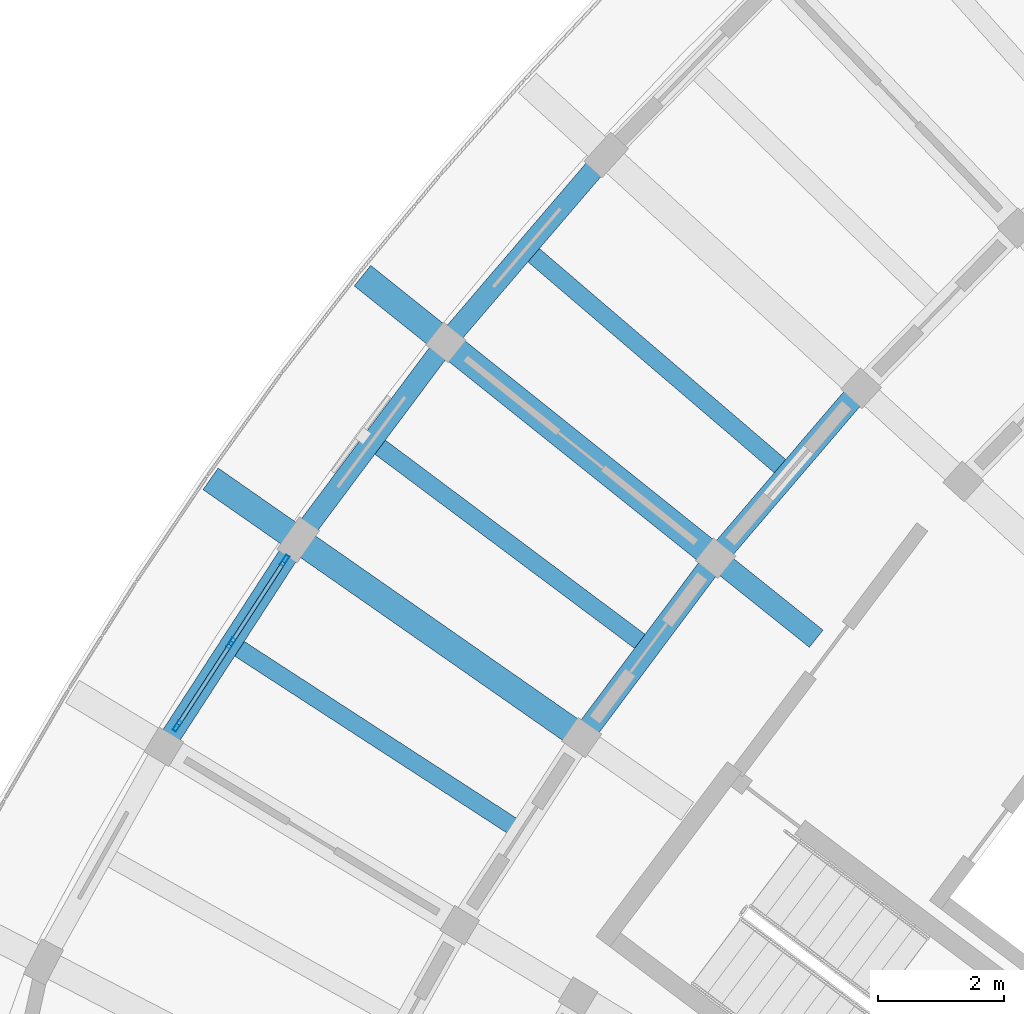
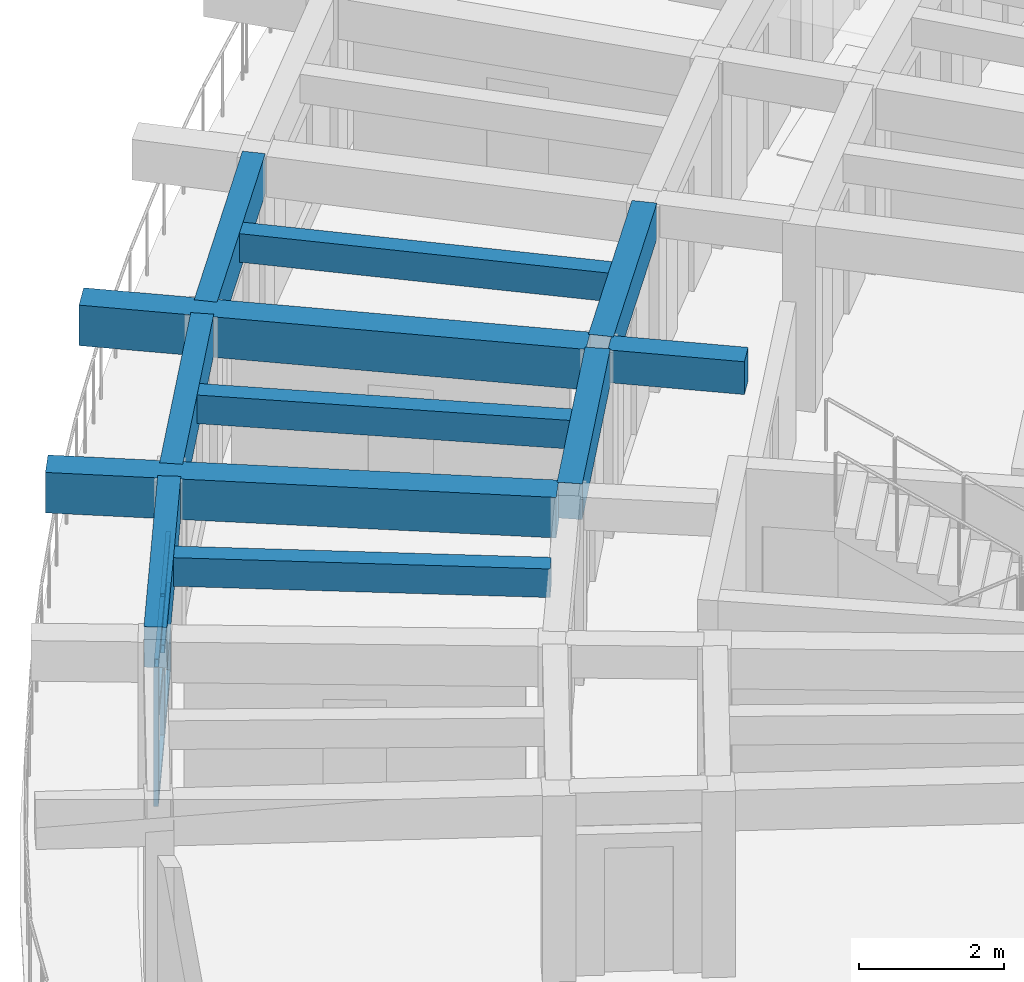
# One storey, part 2 of 19: 11 beams, 9 members, 1 element without a shape of its own.
"""IFC4 building model written with IfcOpenShell, lengths in metres."""

from ifc_helpers import new_model, si_unit, direction, frame, origin, origin_2d, place, context, subcontext, project, spatial, rectangle, hollow_rectangle, extrude, material, material_profile, profile_set, type_object, element, aggregate, save


model = new_model("IFC4")

# Units and contexts
model_context = context("Model", 3, precision=1e-05, world=origin(), true_north=direction((0.0, 1.0)))
body_context = subcontext(model_context, "Body", "Model", "MODEL_VIEW")
ifc_project = project(units=[si_unit("LENGTHUNIT", "METRE"), si_unit("AREAUNIT", "SQUARE_METRE"), si_unit("VOLUMEUNIT", "CUBIC_METRE"), si_unit("PLANEANGLEUNIT", "RADIAN"), si_unit("MASSUNIT", "GRAM", prefix="KILO")], contexts=[model_context])

# Site, building, storey
site_placement = place(None, origin())
site = spatial("IfcSite", under=ifc_project, at=site_placement, CompositionType="ELEMENT")
building_placement = place(site_placement, origin())
building = spatial("IfcBuilding", under=site, at=building_placement, Name="Tanwirah Colonnade Gardens", CompositionType="ELEMENT")
storey_placement = place(building_placement, frame((0.0, 0.0, 45.800048828125)))
storey = spatial("IfcBuildingStorey", under=building, at=storey_placement, Name="L13", CompositionType="ELEMENT", Elevation=45.800048828125)

# Beams
ifc_material_1 = material(Name="Precast concrete C40/50", Category="concrete")
ifc_material_profile_1 = material_profile(ifc_material_1, rectangle(XDim=0.35009765625, YDim=0.550048828125, at=origin_2d()), Name="PC-BM 350x550")
ifc_profile_set_1 = profile_set([ifc_material_profile_1], Name="Precast concrete C40/50")
beam_type_1 = type_object("IfcBeamType", Name="BM-PC350A", PredefinedType="BEAM", material=ifc_profile_set_1)
beam_1_placement = place(storey_placement, frame((24.398681640625, 92.68896484375, 2.844970703125), z_axis=(-0.78073089418, 0.624867402633, 0.0), x_axis=(-0.624867402633, -0.78073089418, 0.0)))
element("IfcBeam", 1, at=beam_1_placement, inside=storey, type_object=beam_type_1, Name="Block A L13 Corridor Tie Beam 12", PredefinedType="BEAM", context=body_context, shape_type="SweptSolid", body=[
    extrude(rectangle(XDim=0.35009765625, YDim=0.550048828125, at=origin_2d()), origin(), (0.0, 0.0, 1.0), 1.89990234375),
])
ifc_material_profile_2 = material_profile(ifc_material_1, rectangle(XDim=0.35009765625, YDim=0.60009765625, at=origin_2d()), Name="PC-BM 350x600")
ifc_profile_set_2 = profile_set([ifc_material_profile_2], Name="Precast concrete C40/50")
beam_type_2 = type_object("IfcBeamType", Name="BM-PC350B", PredefinedType="BEAM", material=ifc_profile_set_2)
beam_2_placement = place(storey_placement, frame((25.017333984375, 96.56298828125, 2.820068359375), z_axis=(-0.650218192342, -0.759747525398, 0.0), x_axis=(0.759747525398, -0.650218192342, 0.0)))
element("IfcBeam", 2, at=beam_2_placement, inside=storey, type_object=beam_type_2, Name="Block A L13 Circumferential Beam 11-R2", PredefinedType="BEAM", context=body_context, shape_type="SweptSolid", body=[
    extrude(rectangle(XDim=0.35009765625, YDim=0.60009765625, at=origin_2d()), origin(), (0.0, 0.0, 1.0), 3.26318359375),
])
beam_3_placement = place(storey_placement, frame((22.708251953125, 93.849609375, 2.820068359375), z_axis=(-0.59871829396, -0.800959677186, 0.0), x_axis=(0.800959677186, -0.59871829396, 0.0)))
element("IfcBeam", 3, at=beam_3_placement, inside=storey, type_object=beam_type_2, Name="Block A L13 Circumferential Beam 12-R2", PredefinedType="BEAM", context=body_context, shape_type="SweptSolid", body=[
    extrude(rectangle(XDim=0.35009765625, YDim=0.60009765625, at=origin_2d()), origin(), (0.0, 0.0, 1.0), 3.262939453125),
])
ifc_material_2 = material(Name="Precast concrete C45/55", Category="concrete")
ifc_material_profile_3 = material_profile(ifc_material_2, rectangle(XDim=0.419921875, YDim=0.679931640625, at=origin_2d()), Name="PC-BM 420x680")
ifc_profile_set_3 = profile_set([ifc_material_profile_3], Name="Precast concrete C45/55")
beam_type_3 = type_object("IfcBeamType", Name="BM-PC420", PredefinedType="BEAM", material=ifc_profile_set_3)
for number, where, z_axis, x_axis, name in (
    (4, (22.680908203125, 94.0634765625, 2.780029296875), (-0.780794476885, 0.624787951921, 0.0), (-0.624787951921, -0.780794476885, 0.0), "Block A L13 Outer Radial Precast Girder 12"),
    (5, (20.541748046875, 91.20166015625, 2.780029296875), (-0.820270158139, 0.571976282433, 0.0), (-0.571976282433, -0.820270158139, 0.0), "Block A L13 Outer Radial Precast Girder 13"),
):
    element("IfcBeam", number, at=place(storey_placement, frame(where, z_axis=z_axis, x_axis=x_axis)), inside=storey, type_object=beam_type_3, Name=name, PredefinedType="BEAM", context=body_context, shape_type="SweptSolid", body=[
        extrude(rectangle(XDim=0.419921875, YDim=0.679931640625, at=origin_2d()), origin(), (0.0, 0.0, 1.0), 7.050048828125),
    ])

# Curtain wall, members
ifc_material_3 = material(Name="Bronze-anodised aluminium and solar-control low-E glass", Category="aluminium")
curtain_wall_type = type_object("IfcCurtainWallType", Name="CW-LOB", PredefinedType="NOTDEFINED", material=ifc_material_3)
curtain_wall_placement = place(storey_placement, origin())
curtain_wall = element("IfcCurtainWall", 6, at=curtain_wall_placement, inside=storey, type_object=curtain_wall_type, Name="Curtain Wall CW-A-L13-OUT-13", PredefinedType="NOTDEFINED")
ifc_material_4 = material(Name="Bronze-anodised aluminium", Category="aluminium")
ifc_material_profile_4 = material_profile(ifc_material_4, hollow_rectangle(XDim=0.06494140625, YDim=0.179931640625, WallThickness=0.00390625, at=origin_2d()), Name="CW-MUL 65x180x4")
ifc_profile_set_4 = profile_set([ifc_material_profile_4], Name="Bronze-anodised aluminium")
member_type_1 = type_object("IfcMemberType", Name="CWM-65x180", PredefinedType="MULLION", material=ifc_profile_set_4)
member_1_placement = place(storey_placement, frame((15.939697265625, 93.9326171875, 0.0), z_axis=(0.0, 0.0, 1.0), x_axis=(0.838669898607, -0.544640065704, 0.0)))
member_1 = element("IfcMember", 7, at=member_1_placement, type_object=member_type_1, Name="CW-LOB mullion 1", PredefinedType="MULLION", context=body_context, shape_type="SweptSolid", body=[
    extrude(hollow_rectangle(XDim=0.06494140625, YDim=0.179931640625, WallThickness=0.00390625, at=origin_2d()), origin(), (0.0, 0.0, 1.0), 2.35498046875),
])
member_2_placement = place(storey_placement, frame((15.084228515625, 92.61572265625, 0.0), z_axis=(0.0, 0.0, 1.0), x_axis=(0.838669898607, -0.544640065704, 0.0)))
member_2 = element("IfcMember", 8, at=member_2_placement, type_object=member_type_1, Name="CW-LOB mullion 2", PredefinedType="MULLION", context=body_context, shape_type="SweptSolid", body=[
    extrude(hollow_rectangle(XDim=0.06494140625, YDim=0.179931640625, WallThickness=0.00390625, at=origin_2d()), origin(), (0.0, 0.0, 1.0), 2.35498046875),
])
member_3_placement = place(storey_placement, frame((14.22900390625, 91.298583984375, 0.0), z_axis=(0.0, 0.0, 1.0), x_axis=(0.838669898607, -0.544640065704, 0.0)))
member_3 = element("IfcMember", 9, at=member_3_placement, type_object=member_type_1, Name="CW-LOB mullion 3", PredefinedType="MULLION", context=body_context, shape_type="SweptSolid", body=[
    extrude(hollow_rectangle(XDim=0.06494140625, YDim=0.179931640625, WallThickness=0.00390625, at=origin_2d()), origin(), (0.0, 0.0, 1.0), 2.35498046875),
])
ifc_material_profile_5 = material_profile(ifc_material_4, hollow_rectangle(XDim=0.06494140625, YDim=0.135009765625, WallThickness=0.00390625, at=origin_2d()), Name="CW-TRN 65x135x4")
ifc_profile_set_5 = profile_set([ifc_material_profile_5], Name="Bronze-anodised aluminium")
member_type_2 = type_object("IfcMemberType", Name="CWT-65x135", PredefinedType="USERDEFINED", material=ifc_profile_set_5)
member_4_placement = place(storey_placement, frame((15.921875, 93.9052734375, 0.032470703125), z_axis=(-0.544629148448, -0.838676988274, 0.0), x_axis=(0.838676988274, -0.544629148448, 0.0)))
member_4 = element("IfcMember", 10, at=member_4_placement, type_object=member_type_2, Name="CW-LOB transom 1.1", ObjectType="TRANSOM", PredefinedType="USERDEFINED", context=body_context, shape_type="SweptSolid", body=[
    extrude(hollow_rectangle(XDim=0.06494140625, YDim=0.135009765625, WallThickness=0.00390625, at=origin_2d()), origin(), (0.0, 0.0, 1.0), 1.50537109375),
])
member_5_placement = place(storey_placement, frame((15.921875, 93.9052734375, 1.4599609375), z_axis=(-0.544629148448, -0.838676988274, 0.0), x_axis=(0.838676988274, -0.544629148448, 0.0)))
member_5 = element("IfcMember", 11, at=member_5_placement, type_object=member_type_2, Name="CW-LOB transom 1.2", ObjectType="TRANSOM", PredefinedType="USERDEFINED", context=body_context, shape_type="SweptSolid", body=[
    extrude(hollow_rectangle(XDim=0.06494140625, YDim=0.135009765625, WallThickness=0.00390625, at=origin_2d()), origin(), (0.0, 0.0, 1.0), 1.50537109375),
])
member_6_placement = place(storey_placement, frame((15.921875, 93.9052734375, 2.322509765625), z_axis=(-0.544629148448, -0.838676988274, 0.0), x_axis=(0.838676988274, -0.544629148448, 0.0)))
member_6 = element("IfcMember", 12, at=member_6_placement, type_object=member_type_2, Name="CW-LOB transom 1.3", ObjectType="TRANSOM", PredefinedType="USERDEFINED", context=body_context, shape_type="SweptSolid", body=[
    extrude(hollow_rectangle(XDim=0.06494140625, YDim=0.135009765625, WallThickness=0.00390625, at=origin_2d()), origin(), (0.0, 0.0, 1.0), 1.50537109375),
])
member_7_placement = place(storey_placement, frame((15.066650390625, 92.58837890625, 0.032470703125), z_axis=(-0.544629148448, -0.838676988274, 0.0), x_axis=(0.838676988274, -0.544629148448, 0.0)))
member_7 = element("IfcMember", 13, at=member_7_placement, type_object=member_type_2, Name="CW-LOB transom 2.1", ObjectType="TRANSOM", PredefinedType="USERDEFINED", context=body_context, shape_type="SweptSolid", body=[
    extrude(hollow_rectangle(XDim=0.06494140625, YDim=0.135009765625, WallThickness=0.00390625, at=origin_2d()), origin(), (0.0, 0.0, 1.0), 1.50537109375),
])
member_8_placement = place(storey_placement, frame((15.066650390625, 92.58837890625, 1.4599609375), z_axis=(-0.544629148448, -0.838676988274, 0.0), x_axis=(0.838676988274, -0.544629148448, 0.0)))
member_8 = element("IfcMember", 14, at=member_8_placement, type_object=member_type_2, Name="CW-LOB transom 2.2", ObjectType="TRANSOM", PredefinedType="USERDEFINED", context=body_context, shape_type="SweptSolid", body=[
    extrude(hollow_rectangle(XDim=0.06494140625, YDim=0.135009765625, WallThickness=0.00390625, at=origin_2d()), origin(), (0.0, 0.0, 1.0), 1.50537109375),
])
member_9_placement = place(storey_placement, frame((15.066650390625, 92.58837890625, 2.322509765625), z_axis=(-0.544629148448, -0.838676988274, 0.0), x_axis=(0.838676988274, -0.544629148448, 0.0)))
member_9 = element("IfcMember", 15, at=member_9_placement, type_object=member_type_2, Name="CW-LOB transom 2.3", ObjectType="TRANSOM", PredefinedType="USERDEFINED", context=body_context, shape_type="SweptSolid", body=[
    extrude(hollow_rectangle(XDim=0.06494140625, YDim=0.135009765625, WallThickness=0.00390625, at=origin_2d()), origin(), (0.0, 0.0, 1.0), 1.50537109375),
])
aggregate(curtain_wall, [member_1, member_2, member_3, member_4, member_5, member_6, member_7, member_8, member_9])

# Beams
ifc_material_profile_6 = material_profile(ifc_material_1, rectangle(XDim=0.280029296875, YDim=0.47998046875, at=origin_2d()), Name="PC-JST 280x480")
ifc_profile_set_6 = profile_set([ifc_material_profile_6], Name="Precast concrete C40/50")
beam_type_4 = type_object("IfcBeamType", Name="JST-PC280", PredefinedType="JOIST", material=ifc_profile_set_6)
beam_4_placement = place(storey_placement, frame((23.843017578125, 95.42041015625, 2.8798828125), z_axis=(-0.759770723643, 0.65019108537, 0.0), x_axis=(-0.65019108537, -0.759770723643, 0.0)))
element("IfcBeam", 16, at=beam_4_placement, inside=storey, type_object=beam_type_4, Name="Block A L13 Precast Floor Joist 11", PredefinedType="JOIST", context=body_context, shape_type="SweptSolid", body=[
    extrude(rectangle(XDim=0.280029296875, YDim=0.47998046875, at=origin_2d()), origin(), (0.0, 0.0, 1.0), 5.26025390625),
])
beam_5_placement = place(storey_placement, frame((21.61181640625, 92.63232421875, 2.8798828125), z_axis=(-0.800973647215, 0.598699604533, 0.0), x_axis=(-0.598699604533, -0.800973647215, 0.0)))
element("IfcBeam", 17, at=beam_5_placement, inside=storey, type_object=beam_type_4, Name="Block A L13 Precast Floor Joist 12", PredefinedType="JOIST", context=body_context, shape_type="SweptSolid", body=[
    extrude(rectangle(XDim=0.280029296875, YDim=0.47998046875, at=origin_2d()), origin(), (0.0, 0.0, 1.0), 5.260009765625),
])
beam_6_placement = place(storey_placement, frame((19.5693359375, 89.703125, 2.8798828125), z_axis=(-0.83868742622, 0.544613074669, 0.0), x_axis=(-0.544613074669, -0.83868742622, 0.0)))
element("IfcBeam", 18, at=beam_6_placement, inside=storey, type_object=beam_type_4, Name="Block A L13 Precast Floor Joist 13", PredefinedType="JOIST", context=body_context, shape_type="SweptSolid", body=[
    extrude(rectangle(XDim=0.280029296875, YDim=0.47998046875, at=origin_2d()), origin(), (0.0, 0.0, 1.0), 5.26025390625),
])
ifc_material_profile_7 = material_profile(ifc_material_2, rectangle(XDim=0.320068359375, YDim=0.679931640625, at=origin_2d()), Name="PC-SP 320x680")
ifc_profile_set_7 = profile_set([ifc_material_profile_7], Name="Precast concrete C45/55")
beam_type_5 = type_object("IfcBeamType", Name="SP-PC320", PredefinedType="SPANDREL", material=ifc_profile_set_7)
for number, where, z_axis, x_axis, name in (
    (19, (20.95849609375, 100.27490234375, 2.780029296875), (-0.65013123267, -0.75982193987, 0.0), (0.75982193987, -0.65013123267, 0.0), "Block A L13 Circumferential Beam 11-R3"),
    (20, (18.413818359375, 97.285888671875, 2.780029296875), (-0.598695554058, -0.800976674786, 0.0), (0.800976674786, -0.598695554058, 0.0), "Block A L13 Circumferential Beam 12-R3"),
    (21, (16.071533203125, 94.135986328125, 2.780029296875), (-0.544621436184, -0.838681996497, 0.0), (0.838681996497, -0.544621436184, 0.0), "Block A L13 Circumferential Beam 13-R3"),
):
    element("IfcBeam", number, at=place(storey_placement, frame(where, z_axis=z_axis, x_axis=x_axis)), inside=storey, type_object=beam_type_5, Name=name, PredefinedType="SPANDREL", context=body_context, shape_type="SweptSolid", body=[
        extrude(rectangle(XDim=0.320068359375, YDim=0.679931640625, at=origin_2d()), origin(), (0.0, 0.0, 1.0), 3.625732421875),
    ])

save(model, "model.ifc")
